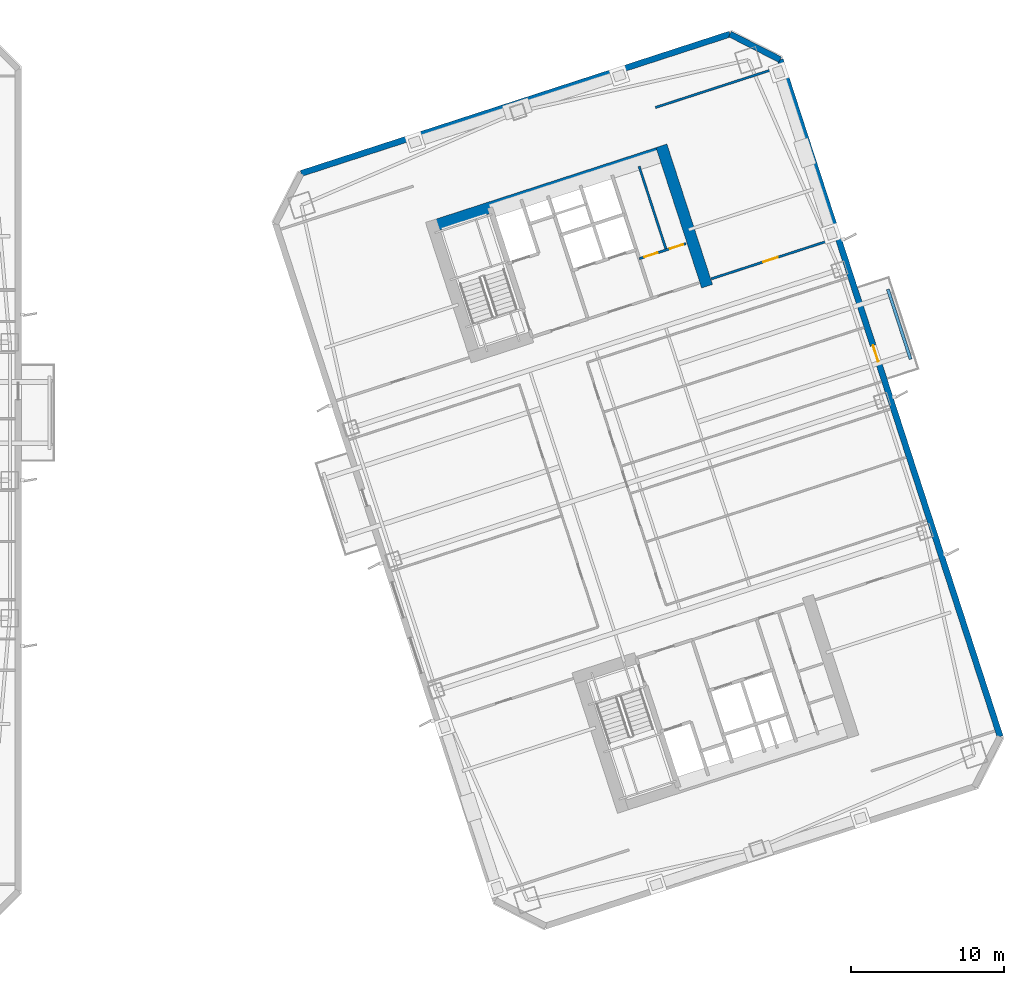
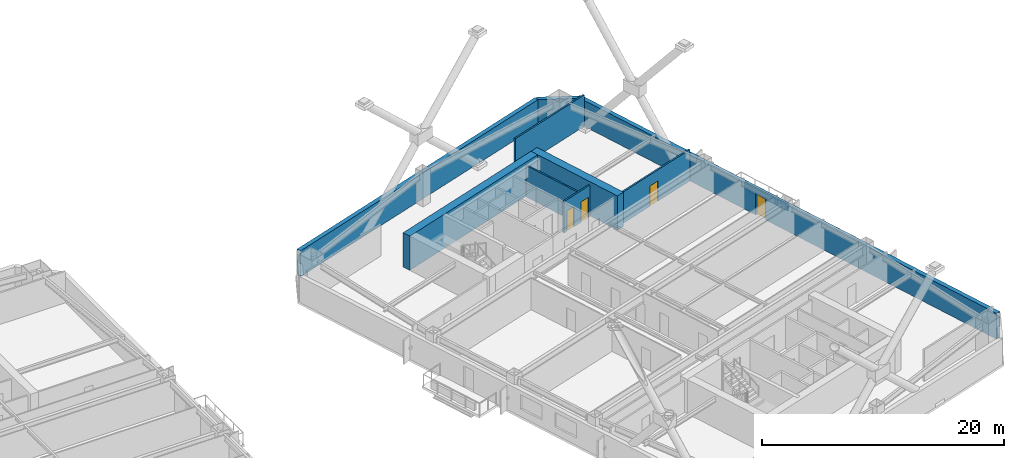
# One storey, part 11 of 19: 10 walls, 4 doors, 4 openings.
"""IFC4 building model written with IfcOpenShell, lengths in metres."""

from ifc_helpers import new_model, si_unit, direction, frame, frame_2d, origin, place, context, subcontext, project, spatial, rectangle, extrude, material, layer, layer_set, type_object, element, fill, save


model = new_model("IFC4")

# Units and contexts
model_context = context("Model", 3, precision=1e-05, world=origin(), true_north=direction((0.0, 1.0)))
body_context = subcontext(model_context, "Body", "Model", "MODEL_VIEW")
ifc_project = project(units=[si_unit("LENGTHUNIT", "METRE"), si_unit("AREAUNIT", "SQUARE_METRE"), si_unit("VOLUMEUNIT", "CUBIC_METRE"), si_unit("PLANEANGLEUNIT", "RADIAN"), si_unit("MASSUNIT", "GRAM", prefix="KILO")], contexts=[model_context])

# Site, building, storey
site_placement = place(None, origin())
site = spatial("IfcSite", under=ifc_project, at=site_placement, CompositionType="ELEMENT")
building_placement = place(site_placement, origin())
building = spatial("IfcBuilding", under=site, at=building_placement, Name="Qiaolan Cultural Towers", CompositionType="ELEMENT")
storey_placement = place(building_placement, frame((0.0, 0.0, 78.199951171875)))
storey = spatial("IfcBuildingStorey", under=building, at=storey_placement, Name="L19", CompositionType="ELEMENT", Elevation=78.199951171875)

# Walls
ifc_material_1 = material(Name="Concrete C60", Category="concrete")
ifc_layer_1 = layer(ifc_material_1, 0.75)
ifc_layer_set_1 = layer_set([ifc_layer_1], Name="Concrete C60")
wall_type_1 = type_object("IfcWallType", Name="WL-CORE-750", PredefinedType="SHEAR", material=ifc_layer_set_1)
wall_1_placement = place(storey_placement, frame((76.27197265625, 50.442626953125, 0.0), z_axis=(0.0, 0.0, 1.0), x_axis=(0.951056072937, 0.309018358888, 0.0)))
element("IfcWall", 1, at=wall_1_placement, inside=storey, type_object=wall_type_1, Name="L19 T2-CN Outer Core Shear Wall", PredefinedType="SHEAR", context=body_context, shape_type="SweptSolid", body=[
    extrude(rectangle(XDim=16.550048828125, YDim=0.75, at=frame_2d((8.27490234375, 0.0))), origin(), (0.0, 0.0, 1.0), 3.449951171875),
])
wall_2_placement = place(storey_placement, frame((94.515380859375, 46.638916015625, 0.0), z_axis=(0.0, 0.0, 1.0), x_axis=(-0.309016134813, 0.951056795583, 0.0)))
element("IfcWall", 2, at=wall_2_placement, inside=storey, type_object=wall_type_1, Name="L19 T2-CN East Core Shear Wall", PredefinedType="SHEAR", context=body_context, shape_type="SweptSolid", body=[
    extrude(rectangle(XDim=9.630126953125, YDim=0.75, at=frame_2d((4.81494140625, 0.0))), origin(), (0.0, 0.0, 1.0), 3.449951171875),
])
ifc_material_2 = material(Name="Precast Concrete C50 Honed Stone Pier", Category="masonry")
ifc_layer_2 = layer(ifc_material_2, 0.39990234375)
ifc_layer_set_2 = layer_set([ifc_layer_2], Name="Precast Concrete C50 Honed Stone Pier")
wall_type_2 = type_object("IfcWallType", Name="WL-EXT-PIER-400", PredefinedType="SOLIDWALL", material=ifc_layer_set_2)
wall_3_placement = place(storey_placement, frame((68.046875, 53.99462890625, 0.0), z_axis=(0.0, 0.0, 1.0), x_axis=(0.95105505922, 0.309021478754, 0.0)))
element("IfcWall", 3, at=wall_3_placement, inside=storey, type_object=wall_type_2, Name="L19 East Tower Precast Pier Facade Wall F3", PredefinedType="SOLIDWALL", context=body_context, shape_type="SweptSolid", body=[
    extrude(rectangle(XDim=29.39990234375, YDim=0.39990234375, at=frame_2d((14.699951171875, 0.0))), origin(), (0.0, 0.0, 1.0), 2.610107421875),
])
wall_4_placement = place(storey_placement, frame((96.0078125, 63.079833984375, 0.0), z_axis=(0.0, 0.0, 1.0), x_axis=(0.891001999643, -0.45399937955, 0.0)))
element("IfcWall", 4, at=wall_4_placement, inside=storey, type_object=wall_type_2, Name="L19 East Tower Precast Pier Facade Wall F4", PredefinedType="SOLIDWALL", context=body_context, shape_type="SweptSolid", body=[
    extrude(rectangle(XDim=3.67724609375, YDim=0.39990234375, at=frame_2d((1.838623046875, 0.0))), origin(), (0.0, 0.0, 1.0), 2.610107421875),
])

# Wall, opening, door
wall_5_placement = place(storey_placement, frame((99.2841796875, 61.410400390625, 0.0), z_axis=(0.0, 0.0, 1.0), x_axis=(0.309017542002, -0.95105633836, 0.0)))
wall_5 = element("IfcWall", 5, at=wall_5_placement, inside=storey, type_object=wall_type_2, Name="L19 East Tower Precast Pier Facade Wall F5", PredefinedType="SOLIDWALL", context=body_context, shape_type="SweptSolid", body=[
    extrude(rectangle(XDim=46.39990234375, YDim=0.39990234375, at=frame_2d((23.199951171875, 0.0))), origin(), (0.0, 0.0, 1.0), 2.610107421875),
])
opening_1_placement = place(wall_5_placement, frame((19.595703125, 0.0, 0.0)))
opening_1 = element("IfcOpeningElement", 6, at=opening_1_placement, cuts=wall_5, Name="Opening BD-01", PredefinedType="OPENING", context=body_context, shape_type="SweptSolid", body=[
    extrude(rectangle(XDim=1.10009765625, YDim=2.14990234375, at=frame_2d((0.550048828125, 1.074951171875))), frame((0.0, 0.2099609375, 0.0), z_axis=(0.0, -1.0, 0.0), x_axis=(1.0, 0.0, 0.0)), (0.0, 0.0, 1.0), 0.419921875),
])
ifc_material_3 = material(Name="Thermally Broken Aluminium Glazed Terrace Door", Category="aluminium")
door_type_1 = type_object("IfcDoorType", Name="DR-BAL-1100", OperationType="NOTDEFINED", PredefinedType="DOOR", material=ifc_material_3)
door_1_placement = place(opening_1_placement, origin())
door_1 = element("IfcDoor", 7, at=door_1_placement, inside=storey, type_object=door_type_1, Name="L19 T2 East Tree Balcony Door", OperationType="SINGLE_SWING_RIGHT", OverallHeight=2.14990234375, OverallWidth=1.10009765625, PredefinedType="DOOR", context=body_context, shape_type="SweptSolid", body=[
    extrude(rectangle(XDim=1.10009765625, YDim=2.14990234375, at=frame_2d((0.550048828125, 1.074951171875))), frame((0.0, 0.02490234375, 0.0), z_axis=(0.0, -1.0, 0.0), x_axis=(1.0, 0.0, 0.0)), (0.0, 0.0, 1.0), 0.050048828125),
])
fill(opening_1, door_1)

# Wall, openings, doors
ifc_material_4 = material(Name="Autoclaved Aerated Concrete Block B06", Category="concrete")
ifc_layer_3 = layer(ifc_material_4, 0.14990234375)
ifc_layer_set_3 = layer_set([ifc_layer_3], Name="Autoclaved Aerated Concrete Block B06")
wall_type_3 = type_object("IfcWallType", Name="WL-PART-150", PredefinedType="PARTITIONING", material=ifc_layer_set_3)
wall_6_placement = place(storey_placement, frame((90.09375, 48.435546875, 0.0), z_axis=(0.0, 0.0, 1.0), x_axis=(0.951066581729, 0.308986014439, 0.0)))
wall_6 = element("IfcWall", 8, at=wall_6_placement, inside=storey, type_object=wall_type_3, Name="L19 T2-CN Restroom Vestibule Wall", PredefinedType="PARTITIONING", context=body_context, shape_type="SweptSolid", body=[
    extrude(rectangle(XDim=3.199951171875, YDim=0.14990234375, at=frame_2d((1.60009765625, 0.0))), origin(), (0.0, 0.0, 1.0), 3.175048828125),
])
opening_2_placement = place(wall_6_placement, frame((0.35009765625, 0.0, 0.0)))
opening_2 = element("IfcOpeningElement", 9, at=opening_2_placement, cuts=wall_6, Name="Opening ID-06", PredefinedType="OPENING", context=body_context, shape_type="SweptSolid", body=[
    extrude(rectangle(XDim=0.89990234375, YDim=2.050048828125, at=frame_2d((0.449951171875, 1.02490234375))), frame((0.0, 0.0849609375, 0.0), z_axis=(0.0, -1.0, 0.0), x_axis=(1.0, 0.0, 0.0)), (0.0, 0.0, 1.0), 0.169921875),
])
opening_3_placement = place(wall_6_placement, frame((2.10009765625, 0.0, 0.0)))
opening_3 = element("IfcOpeningElement", 10, at=opening_3_placement, cuts=wall_6, Name="Opening ID-06", PredefinedType="OPENING", context=body_context, shape_type="SweptSolid", body=[
    extrude(rectangle(XDim=0.89990234375, YDim=2.050048828125, at=frame_2d((0.449951171875, 1.02490234375))), frame((0.0, 0.0849609375, 0.0), z_axis=(0.0, -1.0, 0.0), x_axis=(1.0, 0.0, 0.0)), (0.0, 0.0, 1.0), 0.169921875),
])
ifc_material_5 = material(Name="Fire-Rated Laminate Core Service Door", Category="timber")
door_type_2 = type_object("IfcDoorType", Name="DR-INT-900", OperationType="NOTDEFINED", PredefinedType="DOOR", material=ifc_material_5)
door_2_placement = place(opening_2_placement, origin())
door_2 = element("IfcDoor", 11, at=door_2_placement, inside=storey, type_object=door_type_2, Name="L19 Men Restroom Door", OperationType="SINGLE_SWING_LEFT", OverallHeight=2.050048828125, OverallWidth=0.89990234375, PredefinedType="DOOR", context=body_context, shape_type="SweptSolid", body=[
    extrude(rectangle(XDim=0.89990234375, YDim=2.050048828125, at=frame_2d((0.449951171875, 1.02490234375))), frame((0.0, 0.02490234375, 0.0), z_axis=(0.0, -1.0, 0.0), x_axis=(1.0, 0.0, 0.0)), (0.0, 0.0, 1.0), 0.050048828125),
])
fill(opening_2, door_2)
door_3_placement = place(opening_3_placement, origin())
door_3 = element("IfcDoor", 12, at=door_3_placement, inside=storey, type_object=door_type_2, Name="L19 Accessible & Women Restroom Door", OperationType="SINGLE_SWING_RIGHT", OverallHeight=2.050048828125, OverallWidth=0.89990234375, PredefinedType="DOOR", context=body_context, shape_type="SweptSolid", body=[
    extrude(rectangle(XDim=0.89990234375, YDim=2.050048828125, at=frame_2d((0.449951171875, 1.02490234375))), frame((0.0, 0.02490234375, 0.0), z_axis=(0.0, -1.0, 0.0), x_axis=(1.0, 0.0, 0.0)), (0.0, 0.0, 1.0), 0.050048828125),
])
fill(opening_3, door_3)

# Walls
wall_7_placement = place(storey_placement, frame((91.853271484375, 49.007080078125, 0.0), z_axis=(0.0, 0.0, 1.0), x_axis=(-0.309022487551, 0.951054731437, 0.0)))
element("IfcWall", 13, at=wall_7_placement, inside=storey, type_object=wall_type_3, Name="L19 T2-CN Restroom Divider Wall", PredefinedType="PARTITIONING", context=body_context, shape_type="SweptSolid", body=[
    extrude(rectangle(XDim=5.730224609375, YDim=0.14990234375, at=frame_2d((2.865234375, 0.0))), origin(), (0.0, 0.0, 1.0), 3.175048828125),
])
wall_8_placement = place(storey_placement, frame((91.14892578125, 58.294189453125, 0.0), z_axis=(0.0, 0.0, 1.0), x_axis=(0.951062770994, 0.308997743729, 0.0)))
element("IfcWall", 14, at=wall_8_placement, inside=storey, type_object=wall_type_3, Name="L19 T2 Flank Wall FLK-NE", PredefinedType="PARTITIONING", context=body_context, shape_type="SweptSolid", body=[
    extrude(rectangle(XDim=8.5, YDim=0.14990234375, at=frame_2d((4.25, 0.0))), origin(), (0.0, 0.0, 1.0), 3.175048828125),
])

# Wall, opening, door
wall_9_placement = place(storey_placement, frame((94.77978515625, 47.119140625, 0.0), z_axis=(0.0, 0.0, 1.0), x_axis=(0.951054329824, 0.309023723562, 0.0)))
wall_9 = element("IfcWall", 15, at=wall_9_placement, inside=storey, type_object=wall_type_3, Name="L19 T2 Flank Front FLK-NE", PredefinedType="PARTITIONING", context=body_context, shape_type="SweptSolid", body=[
    extrude(rectangle(XDim=8.5, YDim=0.14990234375, at=frame_2d((4.25, 0.0))), origin(), (0.0, 0.0, 1.0), 3.175048828125),
])
opening_4_placement = place(wall_9_placement, frame((3.570068359375, 0.0, 0.0)))
opening_4 = element("IfcOpeningElement", 16, at=opening_4_placement, cuts=wall_9, Name="Opening ID-04", PredefinedType="OPENING", context=body_context, shape_type="SweptSolid", body=[
    extrude(rectangle(XDim=1.0, YDim=2.050048828125, at=frame_2d((0.5, 1.02490234375))), frame((0.0, 0.0849609375, 0.0), z_axis=(0.0, -1.0, 0.0), x_axis=(1.0, 0.0, 0.0)), (0.0, 0.0, 1.0), 0.169921875),
])
ifc_material_6 = material(Name="Oak Veneer Acoustic Office Door", Category="timber")
door_type_3 = type_object("IfcDoorType", Name="DR-INT-1000", OperationType="NOTDEFINED", PredefinedType="DOOR", material=ifc_material_6)
door_4_placement = place(opening_4_placement, origin())
door_4 = element("IfcDoor", 17, at=door_4_placement, inside=storey, type_object=door_type_3, Name="L19 T2 Corner Studio Door", OperationType="SINGLE_SWING_LEFT", OverallHeight=2.050048828125, OverallWidth=1.0, PredefinedType="DOOR", context=body_context, shape_type="SweptSolid", body=[
    extrude(rectangle(XDim=1.0, YDim=2.050048828125, at=frame_2d((0.5, 1.02490234375))), frame((0.0, 0.02490234375, 0.0), z_axis=(0.0, -1.0, 0.0), x_axis=(1.0, 0.0, 0.0)), (0.0, 0.0, 1.0), 0.050048828125),
])
fill(opening_4, door_4)

# Wall
ifc_material_7 = material(Name="Precast Concrete C45 Tree Planter Upstand", Category="concrete")
ifc_layer_4 = layer(ifc_material_7, 0.199951171875)
ifc_layer_set_4 = layer_set([ifc_layer_4], Name="Precast Concrete C45 Tree Planter Upstand")
wall_type_4 = type_object("IfcWallType", Name="WL-PLANTER-200", PredefinedType="PARAPET", material=ifc_layer_set_4)
wall_10_placement = place(storey_placement, frame((107.784912109375, 41.881591796875, 0.0), z_axis=(0.0, 0.0, 1.0), x_axis=(-0.309032019345, 0.951051634255, 0.0)))
element("IfcWall", 18, at=wall_10_placement, inside=storey, type_object=wall_type_4, Name="L19 T2 Tree Balcony Soil Planter Box E", PredefinedType="PARAPET", context=body_context, shape_type="SweptSolid", body=[
    extrude(rectangle(XDim=4.800048828125, YDim=0.199951171875, at=frame_2d((2.39990234375, 0.0))), origin(), (0.0, 0.0, 1.0), 0.75),
])

save(model, "model.ifc")
